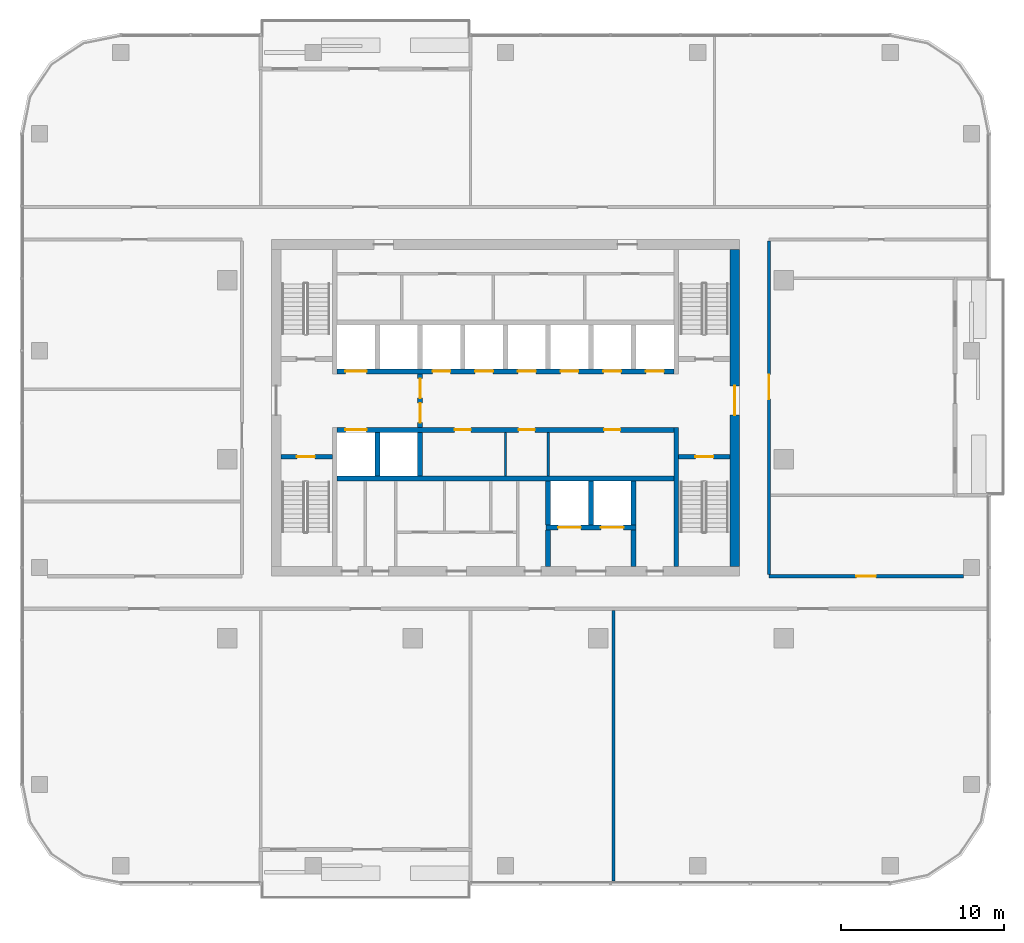
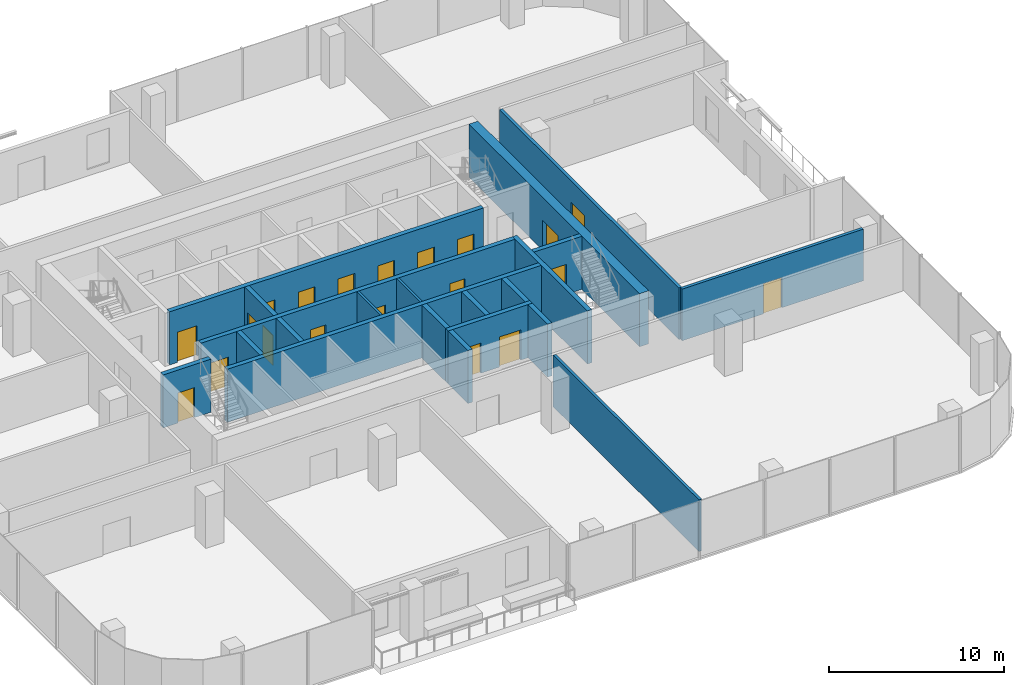
# One storey, part 8 of 13: 21 walls, 20 doors, 20 openings.
"""IFC4 building model written with IfcOpenShell, lengths in metres."""

from ifc_helpers import new_model, si_unit, direction, frame, frame_2d, origin, place, context, subcontext, project, spatial, rectangle, extrude, material, layer, layer_set, type_object, element, fill, save


model = new_model("IFC4")

# Units and contexts
model_context = context("Model", 3, precision=1e-05, world=origin(), true_north=direction((0.0, 1.0)))
body_context = subcontext(model_context, "Body", "Model", "MODEL_VIEW")
ifc_project = project(units=[si_unit("LENGTHUNIT", "METRE"), si_unit("AREAUNIT", "SQUARE_METRE"), si_unit("VOLUMEUNIT", "CUBIC_METRE"), si_unit("PLANEANGLEUNIT", "RADIAN"), si_unit("MASSUNIT", "GRAM", prefix="KILO")], contexts=[model_context])

# Site, building, storey
site_placement = place(None, origin())
site = spatial("IfcSite", under=ifc_project, at=site_placement, CompositionType="ELEMENT")
building_placement = place(site_placement, origin())
building = spatial("IfcBuilding", under=site, at=building_placement, Name="Mopane Tessera Tower", CompositionType="ELEMENT")
storey_placement = place(building_placement, frame((0.0, 0.0, 307.39990234375)))
storey = spatial("IfcBuildingStorey", under=building, at=storey_placement, Name="L67", CompositionType="ELEMENT", Elevation=307.39990234375)

# Walls
ifc_material_1 = material(Name="Fire-rated gypsum board partition")
ifc_layer_1 = layer(ifc_material_1, 0.14990234375)
ifc_layer_set_1 = layer_set([ifc_layer_1], Name="Fire-rated gypsum board partition")
wall_type_1 = type_object("IfcWallType", Name="Core room partition 150 mm", PredefinedType="PARTITIONING", material=ifc_layer_set_1)
for number, where, z_axis, x_axis, name in (
    (1, (0.0, -1.050048828125, 0.0), (0.0, 0.0, 1.0), (0.0, 1.0, 0.0), "L67 Room partition"),
    (2, (2.625, -1.050048828125, 0.0), (0.0, 0.0, 1.0), (0.0, 1.0, 0.0), "L67 Room partition"),
):
    element("IfcWall", number, at=place(storey_placement, frame(where, z_axis=z_axis, x_axis=x_axis)), inside=storey, type_object=wall_type_1, Name=name, PredefinedType="PARTITIONING", context=body_context, shape_type="SweptSolid", body=[
        extrude(rectangle(XDim=2.699951171875, YDim=0.14990234375, at=frame_2d((1.35009765625, 0.0))), origin(), (0.0, 0.0, 1.0), 3.7001953125),
    ])

# Wall, opening, door
ifc_material_2 = material(Name="Concrete C70/85", Category="concrete")
ifc_layer_2 = layer(ifc_material_2, 0.60009765625)
ifc_layer_set_2 = layer_set([ifc_layer_2], Name="Concrete C70/85")
wall_type_2 = type_object("IfcWallType", Name="Core shear wall 600 mm", PredefinedType="SHEAR", material=ifc_layer_set_2)
wall_1_placement = place(storey_placement, frame((14.10009765625, -6.60009765625, 0.0), z_axis=(0.0, 0.0, 1.0), x_axis=(0.0, 1.0, 0.0)))
wall_1 = element("IfcWall", 3, at=wall_1_placement, inside=storey, type_object=wall_type_2, Name="L67 Core wall east", PredefinedType="SHEAR", context=body_context, shape_type="SweptSolid", body=[
    extrude(rectangle(XDim=19.5, YDim=0.60009765625, at=frame_2d((9.75, 0.0))), origin(), (0.0, 0.0, 1.0), 3.7001953125),
])
opening_1_placement = place(wall_1_placement, frame((9.300048828125, 0.0, 0.0)))
opening_1 = element("IfcOpeningElement", 4, at=opening_1_placement, cuts=wall_1, Name="Opening SD2", PredefinedType="OPENING", context=body_context, shape_type="SweptSolid", body=[
    extrude(rectangle(XDim=1.800048828125, YDim=2.10009765625, at=frame_2d((0.89990234375, 1.050048828125))), frame((0.0, 0.31201171875, 0.0), z_axis=(0.0, -1.0, 0.0), x_axis=(1.0, 0.0, 0.0)), (0.0, 0.0, 1.0), 0.6240234375),
])
ifc_material_3 = material(Name="Steel fire door", Category="steel")
door_type_1 = type_object("IfcDoorType", Name="Core entrance double door 1800 x 2100", OperationType="DOUBLE_DOOR_SINGLE_SWING", PredefinedType="DOOR", material=ifc_material_3)
door_1_placement = place(opening_1_placement, origin())
door_1 = element("IfcDoor", 5, at=door_1_placement, inside=storey, type_object=door_type_1, Name="L67 Core entrance door east", OperationType="DOUBLE_DOOR_SINGLE_SWING", OverallHeight=2.10009765625, OverallWidth=1.800048828125, PredefinedType="DOOR", context=body_context, shape_type="SweptSolid", body=[
    extrude(rectangle(XDim=1.800048828125, YDim=2.10009765625, at=frame_2d((0.89990234375, 1.050048828125))), frame((0.0, 0.02490234375, 0.0), z_axis=(0.0, -1.0, 0.0), x_axis=(1.0, 0.0, 0.0)), (0.0, 0.0, 1.0), 0.050048828125),
])
fill(opening_1, door_1)

# Walls
ifc_material_4 = material(Name="Concrete C60/75", Category="concrete")
ifc_layer_3 = layer(ifc_material_4, 0.300048828125)
ifc_layer_set_3 = layer_set([ifc_layer_3], Name="Concrete C60/75")
wall_type_3 = type_object("IfcWallType", Name="Core spine wall 300 mm", PredefinedType="SHEAR", material=ifc_layer_set_3)
wall_2_placement = place(storey_placement, frame((10.5, -6.60009765625, 0.0), z_axis=(0.0, 0.0, 1.0), x_axis=(0.0, 1.0, 0.0)))
element("IfcWall", 6, at=wall_2_placement, inside=storey, type_object=wall_type_3, Name="L67 Core spine wall", PredefinedType="SHEAR", context=body_context, shape_type="SweptSolid", body=[
    extrude(rectangle(XDim=8.550048828125, YDim=0.300048828125, at=frame_2d((4.27490234375, 0.0))), origin(), (0.0, 0.0, 1.0), 3.7001953125),
])
ifc_material_5 = material(Name="Gypsum board on staggered steel studs, double layer each face, acoustic mineral wool infill", Category="steel")
ifc_layer_4 = layer(ifc_material_5, 0.175048828125)
ifc_layer_set_4 = layer_set([ifc_layer_4], Name="Gypsum board on staggered steel studs, double layer each face, acoustic mineral wool infill")
wall_type_4 = type_object("IfcWallType", Name="Gypsum board acoustic partition 175, rated EI 60", PredefinedType="PARTITIONING", material=ifc_layer_set_4)
wall_3_placement = place(storey_placement, frame((6.6298828125, -25.949951171875, 0.0), z_axis=(0.0, 0.0, 1.0), x_axis=(0.0, 1.0, 0.0)))
element("IfcWall", 7, at=wall_3_placement, inside=storey, type_object=wall_type_4, Name="Partition L67:015", PredefinedType="PARTITIONING", context=body_context, shape_type="SweptSolid", body=[
    extrude(rectangle(XDim=16.64990234375, YDim=0.175048828125, at=frame_2d((8.324951171875, 0.0))), origin(), (0.0, 0.0, 1.0), 3.60009765625),
])

# Wall, opening, door
ifc_material_6 = material(Name="Gypsum board on steel studs, two layers each face, mineral wool infill", Category="steel")
ifc_layer_5 = layer(ifc_material_6, 0.199951171875)
ifc_layer_set_5 = layer_set([ifc_layer_5], Name="Gypsum board on steel studs, two layers each face, mineral wool infill")
wall_type_5 = type_object("IfcWallType", Name="Gypsum board corridor wall 200, rated EI 60", PredefinedType="PARTITIONING", material=ifc_layer_set_5)
wall_4_placement = place(storey_placement, frame((16.199951171875, -7.199951171875, 0.0), z_axis=(0.0, 0.0, 1.0), x_axis=(1.0, 0.0, 0.0)))
wall_4 = element("IfcWall", 8, at=wall_4_placement, inside=storey, type_object=wall_type_5, Name="Partition L67:002", PredefinedType="PARTITIONING", context=body_context, shape_type="SweptSolid", body=[
    extrude(rectangle(XDim=11.949951171875, YDim=0.199951171875, at=frame_2d((5.97509765625, 0.0))), origin(), (0.0, 0.0, 1.0), 3.60009765625),
])
opening_2_placement = place(wall_4_placement, frame((5.375, 0.0, 0.0)))
opening_2 = element("IfcOpeningElement", 9, at=opening_2_placement, cuts=wall_4, Name="Opening L67-14", PredefinedType="OPENING", context=body_context, shape_type="SweptSolid", body=[
    extrude(rectangle(XDim=1.199951171875, YDim=2.10009765625, at=frame_2d((0.60009765625, 1.050048828125))), frame((0.0, 0.112060546875, 0.0), z_axis=(0.0, -1.0, 0.0), x_axis=(1.0, 0.0, 0.0)), (0.0, 0.0, 1.0), 0.223876953125),
])
ifc_material_7 = material(Name="Timber veneered steel-framed fire door", Category="steel")
door_type_2 = type_object("IfcDoorType", Name="Fire door FD60 1200 x 2100", OperationType="SINGLE_SWING_LEFT", PredefinedType="DOOR", material=ifc_material_7)
door_2_placement = place(opening_2_placement, origin())
door_2 = element("IfcDoor", 10, at=door_2_placement, inside=storey, type_object=door_type_2, Name="Door L67-14", ObjectType="D15A", OperationType="SINGLE_SWING_LEFT", OverallHeight=2.10009765625, OverallWidth=1.199951171875, PredefinedType="DOOR", context=body_context, shape_type="SweptSolid", body=[
    extrude(rectangle(XDim=1.199951171875, YDim=2.10009765625, at=frame_2d((0.60009765625, 1.050048828125))), frame((0.0, 0.02490234375, 0.0), z_axis=(0.0, -1.0, 0.0), x_axis=(1.0, 0.0, 0.0)), (0.0, 0.0, 1.0), 0.050048828125),
])
fill(opening_2, door_2)

wall_5_placement = place(storey_placement, frame((16.199951171875, -7.10009765625, 0.0), z_axis=(0.0, 0.0, 1.0), x_axis=(0.0, 1.0, 0.0)))
wall_5 = element("IfcWall", 11, at=wall_5_placement, inside=storey, type_object=wall_type_5, Name="Partition L67:017", PredefinedType="PARTITIONING", context=body_context, shape_type="SweptSolid", body=[
    extrude(rectangle(XDim=20.5, YDim=0.199951171875, at=frame_2d((10.25, 0.0))), origin(), (0.0, 0.0, 1.0), 3.60009765625),
])
opening_3_placement = place(wall_5_placement, frame((10.794921875, 0.0, 0.0)))
opening_3 = element("IfcOpeningElement", 12, at=opening_3_placement, cuts=wall_5, Name="Opening L67-05", PredefinedType="OPENING", context=body_context, shape_type="SweptSolid", body=[
    extrude(rectangle(XDim=1.5, YDim=2.10009765625, at=frame_2d((0.75, 1.050048828125))), frame((0.0, 0.112060546875, 0.0), z_axis=(0.0, -1.0, 0.0), x_axis=(1.0, 0.0, 0.0)), (0.0, 0.0, 1.0), 0.223876953125),
])
ifc_material_8 = material(Name="Timber veneered steel-framed fire door", Category="steel")
door_type_3 = type_object("IfcDoorType", Name="Fire door pair FD60 1500 x 2100", OperationType="DOUBLE_DOOR_SINGLE_SWING", PredefinedType="DOOR", material=ifc_material_8)
door_3_placement = place(opening_3_placement, origin())
door_3 = element("IfcDoor", 13, at=door_3_placement, inside=storey, type_object=door_type_3, Name="Door L67-05", ObjectType="D17A", OperationType="DOUBLE_DOOR_SINGLE_SWING", OverallHeight=2.10009765625, OverallWidth=1.5, PredefinedType="DOOR", context=body_context, shape_type="SweptSolid", body=[
    extrude(rectangle(XDim=1.5, YDim=2.10009765625, at=frame_2d((0.75, 1.050048828125))), frame((0.0, 0.02490234375, 0.0), z_axis=(0.0, -1.0, 0.0), x_axis=(1.0, 0.0, 0.0)), (0.0, 0.0, 1.0), 0.050048828125),
])
fill(opening_3, door_3)

ifc_material_9 = material(Name="Concrete C50/60", Category="concrete")
ifc_layer_6 = layer(ifc_material_9, 0.300048828125)
ifc_layer_set_6 = layer_set([ifc_layer_6], Name="Concrete C50/60")
wall_type_6 = type_object("IfcWallType", Name="Lift and stair shaft wall 300 mm", PredefinedType="SOLIDWALL", material=ifc_layer_set_6)
wall_6_placement = place(storey_placement, frame((-13.800048828125, 0.14990234375, 0.0), z_axis=(0.0, 0.0, 1.0), x_axis=(1.0, 0.0, 0.0)))
wall_6 = element("IfcWall", 14, at=wall_6_placement, inside=storey, type_object=wall_type_6, Name="L67 Stair enclosure wall", PredefinedType="SOLIDWALL", context=body_context, shape_type="SweptSolid", body=[
    extrude(rectangle(XDim=3.150146484375, YDim=0.300048828125, at=frame_2d((1.5751953125, 0.0))), origin(), (0.0, 0.0, 1.0), 3.7001953125),
])
opening_4_placement = place(wall_6_placement, frame((0.97509765625, 0.0, 0.0)))
opening_4 = element("IfcOpeningElement", 15, at=opening_4_placement, cuts=wall_6, Name="Opening SD1", PredefinedType="OPENING", context=body_context, shape_type="SweptSolid", body=[
    extrude(rectangle(XDim=1.10009765625, YDim=2.10009765625, at=frame_2d((0.550048828125, 1.050048828125))), frame((0.0, 0.162109375, 0.0), z_axis=(0.0, -1.0, 0.0), x_axis=(1.0, 0.0, 0.0)), (0.0, 0.0, 1.0), 0.323974609375),
])
ifc_material_10 = material(Name="Steel fire door", Category="steel")
door_type_4 = type_object("IfcDoorType", Name="Stair fire door 1100 x 2100", OperationType="SINGLE_SWING_LEFT", PredefinedType="DOOR", material=ifc_material_10)
door_4_placement = place(opening_4_placement, origin())
door_4 = element("IfcDoor", 16, at=door_4_placement, inside=storey, type_object=door_type_4, Name="L67 Stair door ST1", OperationType="SINGLE_SWING_LEFT", OverallHeight=2.10009765625, OverallWidth=1.10009765625, PredefinedType="DOOR", context=body_context, shape_type="SweptSolid", body=[
    extrude(rectangle(XDim=1.10009765625, YDim=2.10009765625, at=frame_2d((0.550048828125, 1.050048828125))), frame((0.0, 0.02490234375, 0.0), z_axis=(0.0, -1.0, 0.0), x_axis=(1.0, 0.0, 0.0)), (0.0, 0.0, 1.0), 0.050048828125),
])
fill(opening_4, door_4)

wall_7_placement = place(storey_placement, frame((10.64990234375, 0.14990234375, 0.0), z_axis=(0.0, 0.0, 1.0), x_axis=(1.0, 0.0, 0.0)))
wall_7 = element("IfcWall", 17, at=wall_7_placement, inside=storey, type_object=wall_type_6, Name="L67 Stair enclosure wall", PredefinedType="SOLIDWALL", context=body_context, shape_type="SweptSolid", body=[
    extrude(rectangle(XDim=3.150146484375, YDim=0.300048828125, at=frame_2d((1.5751953125, 0.0))), origin(), (0.0, 0.0, 1.0), 3.7001953125),
])
opening_5_placement = place(wall_7_placement, frame((1.02490234375, 0.0, 0.0)))
opening_5 = element("IfcOpeningElement", 18, at=opening_5_placement, cuts=wall_7, Name="Opening SD1", PredefinedType="OPENING", context=body_context, shape_type="SweptSolid", body=[
    extrude(rectangle(XDim=1.10009765625, YDim=2.10009765625, at=frame_2d((0.550048828125, 1.050048828125))), frame((0.0, 0.162109375, 0.0), z_axis=(0.0, -1.0, 0.0), x_axis=(1.0, 0.0, 0.0)), (0.0, 0.0, 1.0), 0.323974609375),
])
door_5_placement = place(opening_5_placement, origin())
door_5 = element("IfcDoor", 19, at=door_5_placement, inside=storey, type_object=door_type_4, Name="L67 Stair door ST3", OperationType="SINGLE_SWING_RIGHT", OverallHeight=2.10009765625, OverallWidth=1.10009765625, PredefinedType="DOOR", context=body_context, shape_type="SweptSolid", body=[
    extrude(rectangle(XDim=1.10009765625, YDim=2.10009765625, at=frame_2d((0.550048828125, 1.050048828125))), frame((0.0, 0.02490234375, 0.0), z_axis=(0.0, -1.0, 0.0), x_axis=(1.0, 0.0, 0.0)), (0.0, 0.0, 1.0), 0.050048828125),
])
fill(opening_5, door_5)

# Wall
wall_8_placement = place(storey_placement, frame((-10.35009765625, -1.199951171875, 0.0), z_axis=(0.0, 0.0, 1.0), x_axis=(1.0, 0.0, 0.0)))
element("IfcWall", 20, at=wall_8_placement, inside=storey, type_object=wall_type_6, Name="L67 Lift shaft rear wall", PredefinedType="SOLIDWALL", context=body_context, shape_type="SweptSolid", body=[
    extrude(rectangle(XDim=20.7001953125, YDim=0.300048828125, at=frame_2d((10.35009765625, 0.0))), origin(), (0.0, 0.0, 1.0), 3.7001953125),
])

# Wall, openings, doors
wall_9_placement = place(storey_placement, frame((-10.35009765625, 1.800048828125, 0.0), z_axis=(0.0, 0.0, 1.0), x_axis=(1.0, 0.0, 0.0)))
wall_9 = element("IfcWall", 21, at=wall_9_placement, inside=storey, type_object=wall_type_6, Name="L67 Lift shaft front wall", PredefinedType="SOLIDWALL", context=body_context, shape_type="SweptSolid", body=[
    extrude(rectangle(XDim=20.7001953125, YDim=0.300048828125, at=frame_2d((10.35009765625, 0.0))), origin(), (0.0, 0.0, 1.0), 3.7001953125),
])
opening_6_placement = place(wall_9_placement, frame((0.512451171875, 0.0, 0.0)))
opening_6 = element("IfcOpeningElement", 22, at=opening_6_placement, cuts=wall_9, Name="Opening LD2", PredefinedType="OPENING", context=body_context, shape_type="SweptSolid", body=[
    extrude(rectangle(XDim=1.300048828125, YDim=2.10009765625, at=frame_2d((0.64990234375, 1.050048828125))), frame((0.0, 0.162109375, 0.0), z_axis=(0.0, -1.0, 0.0), x_axis=(1.0, 0.0, 0.0)), (0.0, 0.0, 1.0), 0.323974609375),
])
opening_7_placement = place(wall_9_placement, frame((7.22509765625, 0.0, 0.0)))
opening_7 = element("IfcOpeningElement", 23, at=opening_7_placement, cuts=wall_9, Name="Opening RD1", PredefinedType="OPENING", context=body_context, shape_type="SweptSolid", body=[
    extrude(rectangle(XDim=1.0, YDim=2.10009765625, at=frame_2d((0.5, 1.050048828125))), frame((0.0, 0.162109375, 0.0), z_axis=(0.0, -1.0, 0.0), x_axis=(1.0, 0.0, 0.0)), (0.0, 0.0, 1.0), 0.323974609375),
])
opening_8_placement = place(wall_9_placement, frame((11.16259765625, 0.0, 0.0)))
opening_8 = element("IfcOpeningElement", 24, at=opening_8_placement, cuts=wall_9, Name="Opening RD1", PredefinedType="OPENING", context=body_context, shape_type="SweptSolid", body=[
    extrude(rectangle(XDim=1.0, YDim=2.10009765625, at=frame_2d((0.5, 1.050048828125))), frame((0.0, 0.162109375, 0.0), z_axis=(0.0, -1.0, 0.0), x_axis=(1.0, 0.0, 0.0)), (0.0, 0.0, 1.0), 0.323974609375),
])
opening_9_placement = place(wall_9_placement, frame((16.41259765625, 0.0, 0.0)))
opening_9 = element("IfcOpeningElement", 25, at=opening_9_placement, cuts=wall_9, Name="Opening RD1", PredefinedType="OPENING", context=body_context, shape_type="SweptSolid", body=[
    extrude(rectangle(XDim=1.0, YDim=2.10009765625, at=frame_2d((0.5, 1.050048828125))), frame((0.0, 0.162109375, 0.0), z_axis=(0.0, -1.0, 0.0), x_axis=(1.0, 0.0, 0.0)), (0.0, 0.0, 1.0), 0.323974609375),
])
ifc_material_11 = material(Name="Timber door", Category="wood")
door_type_5 = type_object("IfcDoorType", Name="Core room door 1000 x 2100", OperationType="SINGLE_SWING_LEFT", PredefinedType="DOOR", material=ifc_material_11)
door_6_placement = place(opening_7_placement, origin())
door_6 = element("IfcDoor", 26, at=door_6_placement, inside=storey, type_object=door_type_5, Name="L67 Room door", OperationType="SINGLE_SWING_LEFT", OverallHeight=2.10009765625, OverallWidth=1.0, PredefinedType="DOOR", context=body_context, shape_type="SweptSolid", body=[
    extrude(rectangle(XDim=1.0, YDim=2.10009765625, at=frame_2d((0.5, 1.050048828125))), frame((0.0, 0.02490234375, 0.0), z_axis=(0.0, -1.0, 0.0), x_axis=(1.0, 0.0, 0.0)), (0.0, 0.0, 1.0), 0.050048828125),
])
fill(opening_7, door_6)
door_7_placement = place(opening_8_placement, origin())
door_7 = element("IfcDoor", 27, at=door_7_placement, inside=storey, type_object=door_type_5, Name="L67 Room door", OperationType="SINGLE_SWING_LEFT", OverallHeight=2.10009765625, OverallWidth=1.0, PredefinedType="DOOR", context=body_context, shape_type="SweptSolid", body=[
    extrude(rectangle(XDim=1.0, YDim=2.10009765625, at=frame_2d((0.5, 1.050048828125))), frame((0.0, 0.02490234375, 0.0), z_axis=(0.0, -1.0, 0.0), x_axis=(1.0, 0.0, 0.0)), (0.0, 0.0, 1.0), 0.050048828125),
])
fill(opening_8, door_7)
door_8_placement = place(opening_9_placement, origin())
door_8 = element("IfcDoor", 28, at=door_8_placement, inside=storey, type_object=door_type_5, Name="L67 Room door", OperationType="SINGLE_SWING_LEFT", OverallHeight=2.10009765625, OverallWidth=1.0, PredefinedType="DOOR", context=body_context, shape_type="SweptSolid", body=[
    extrude(rectangle(XDim=1.0, YDim=2.10009765625, at=frame_2d((0.5, 1.050048828125))), frame((0.0, 0.02490234375, 0.0), z_axis=(0.0, -1.0, 0.0), x_axis=(1.0, 0.0, 0.0)), (0.0, 0.0, 1.0), 0.050048828125),
])
fill(opening_9, door_8)
ifc_material_12 = material(Name="Stainless steel sliding door", Category="steel")
door_type_6 = type_object("IfcDoorType", Name="Fire-fighting lift landing door 1300 x 2100", OperationType="DOUBLE_DOOR_SLIDING", PredefinedType="DOOR", material=ifc_material_12)
door_9_placement = place(opening_6_placement, origin())
door_9 = element("IfcDoor", 29, at=door_9_placement, inside=storey, type_object=door_type_6, Name="L67 Lift landing door FF1", OperationType="DOUBLE_DOOR_SLIDING", OverallHeight=2.10009765625, OverallWidth=1.300048828125, PredefinedType="DOOR", context=body_context, shape_type="SweptSolid", body=[
    extrude(rectangle(XDim=1.300048828125, YDim=2.10009765625, at=frame_2d((0.64990234375, 1.050048828125))), frame((0.0, 0.02490234375, 0.0), z_axis=(0.0, -1.0, 0.0), x_axis=(1.0, 0.0, 0.0)), (0.0, 0.0, 1.0), 0.050048828125),
])
fill(opening_6, door_9)

wall_10_placement = place(storey_placement, frame((-10.35009765625, 5.39990234375, 0.0), z_axis=(0.0, 0.0, 1.0), x_axis=(1.0, 0.0, 0.0)))
wall_10 = element("IfcWall", 30, at=wall_10_placement, inside=storey, type_object=wall_type_6, Name="L67 Lift shaft front wall", PredefinedType="SOLIDWALL", context=body_context, shape_type="SweptSolid", body=[
    extrude(rectangle(XDim=20.7001953125, YDim=0.300048828125, at=frame_2d((10.35009765625, 0.0))), origin(), (0.0, 0.0, 1.0), 3.7001953125),
])
opening_10_placement = place(wall_10_placement, frame((0.512451171875, 0.0, 0.0)))
opening_10 = element("IfcOpeningElement", 31, at=opening_10_placement, cuts=wall_10, Name="Opening LD2", PredefinedType="OPENING", context=body_context, shape_type="SweptSolid", body=[
    extrude(rectangle(XDim=1.300048828125, YDim=2.10009765625, at=frame_2d((0.64990234375, 1.050048828125))), frame((0.0, 0.162109375, 0.0), z_axis=(0.0, -1.0, 0.0), x_axis=(1.0, 0.0, 0.0)), (0.0, 0.0, 1.0), 0.323974609375),
])
opening_11_placement = place(wall_10_placement, frame((5.862548828125, 0.0, 0.0)))
opening_11 = element("IfcOpeningElement", 32, at=opening_11_placement, cuts=wall_10, Name="Opening LD", PredefinedType="OPENING", context=body_context, shape_type="SweptSolid", body=[
    extrude(rectangle(XDim=1.10009765625, YDim=2.10009765625, at=frame_2d((0.550048828125, 1.050048828125))), frame((0.0, 0.162109375, 0.0), z_axis=(0.0, -1.0, 0.0), x_axis=(1.0, 0.0, 0.0)), (0.0, 0.0, 1.0), 0.323974609375),
])
opening_12_placement = place(wall_10_placement, frame((8.487548828125, 0.0, 0.0)))
opening_12 = element("IfcOpeningElement", 33, at=opening_12_placement, cuts=wall_10, Name="Opening LD", PredefinedType="OPENING", context=body_context, shape_type="SweptSolid", body=[
    extrude(rectangle(XDim=1.10009765625, YDim=2.10009765625, at=frame_2d((0.550048828125, 1.050048828125))), frame((0.0, 0.162109375, 0.0), z_axis=(0.0, -1.0, 0.0), x_axis=(1.0, 0.0, 0.0)), (0.0, 0.0, 1.0), 0.323974609375),
])
opening_13_placement = place(wall_10_placement, frame((11.112548828125, 0.0, 0.0)))
opening_13 = element("IfcOpeningElement", 34, at=opening_13_placement, cuts=wall_10, Name="Opening LD", PredefinedType="OPENING", context=body_context, shape_type="SweptSolid", body=[
    extrude(rectangle(XDim=1.10009765625, YDim=2.10009765625, at=frame_2d((0.550048828125, 1.050048828125))), frame((0.0, 0.162109375, 0.0), z_axis=(0.0, -1.0, 0.0), x_axis=(1.0, 0.0, 0.0)), (0.0, 0.0, 1.0), 0.323974609375),
])
opening_14_placement = place(wall_10_placement, frame((13.737548828125, 0.0, 0.0)))
opening_14 = element("IfcOpeningElement", 35, at=opening_14_placement, cuts=wall_10, Name="Opening LD", PredefinedType="OPENING", context=body_context, shape_type="SweptSolid", body=[
    extrude(rectangle(XDim=1.10009765625, YDim=2.10009765625, at=frame_2d((0.550048828125, 1.050048828125))), frame((0.0, 0.162109375, 0.0), z_axis=(0.0, -1.0, 0.0), x_axis=(1.0, 0.0, 0.0)), (0.0, 0.0, 1.0), 0.323974609375),
])
opening_15_placement = place(wall_10_placement, frame((16.362548828125, 0.0, 0.0)))
opening_15 = element("IfcOpeningElement", 36, at=opening_15_placement, cuts=wall_10, Name="Opening LD", PredefinedType="OPENING", context=body_context, shape_type="SweptSolid", body=[
    extrude(rectangle(XDim=1.10009765625, YDim=2.10009765625, at=frame_2d((0.550048828125, 1.050048828125))), frame((0.0, 0.162109375, 0.0), z_axis=(0.0, -1.0, 0.0), x_axis=(1.0, 0.0, 0.0)), (0.0, 0.0, 1.0), 0.323974609375),
])
opening_16_placement = place(wall_10_placement, frame((18.987548828125, 0.0, 0.0)))
opening_16 = element("IfcOpeningElement", 37, at=opening_16_placement, cuts=wall_10, Name="Opening LD", PredefinedType="OPENING", context=body_context, shape_type="SweptSolid", body=[
    extrude(rectangle(XDim=1.10009765625, YDim=2.10009765625, at=frame_2d((0.550048828125, 1.050048828125))), frame((0.0, 0.162109375, 0.0), z_axis=(0.0, -1.0, 0.0), x_axis=(1.0, 0.0, 0.0)), (0.0, 0.0, 1.0), 0.323974609375),
])
door_10_placement = place(opening_10_placement, origin())
door_10 = element("IfcDoor", 38, at=door_10_placement, inside=storey, type_object=door_type_6, Name="L67 Lift landing door FF2", OperationType="DOUBLE_DOOR_SLIDING", OverallHeight=2.10009765625, OverallWidth=1.300048828125, PredefinedType="DOOR", context=body_context, shape_type="SweptSolid", body=[
    extrude(rectangle(XDim=1.300048828125, YDim=2.10009765625, at=frame_2d((0.64990234375, 1.050048828125))), frame((0.0, 0.02490234375, 0.0), z_axis=(0.0, -1.0, 0.0), x_axis=(1.0, 0.0, 0.0)), (0.0, 0.0, 1.0), 0.050048828125),
])
fill(opening_10, door_10)
ifc_material_13 = material(Name="Stainless steel sliding door", Category="steel")
door_type_7 = type_object("IfcDoorType", Name="Lift landing door 1100 x 2100", OperationType="DOUBLE_DOOR_SLIDING", PredefinedType="DOOR", material=ifc_material_13)
door_11_placement = place(opening_11_placement, origin())
door_11 = element("IfcDoor", 39, at=door_11_placement, inside=storey, type_object=door_type_7, Name="L67 Lift landing door HR1", OperationType="DOUBLE_DOOR_SLIDING", OverallHeight=2.10009765625, OverallWidth=1.10009765625, PredefinedType="DOOR", context=body_context, shape_type="SweptSolid", body=[
    extrude(rectangle(XDim=1.10009765625, YDim=2.10009765625, at=frame_2d((0.550048828125, 1.050048828125))), frame((0.0, 0.02490234375, 0.0), z_axis=(0.0, -1.0, 0.0), x_axis=(1.0, 0.0, 0.0)), (0.0, 0.0, 1.0), 0.050048828125),
])
fill(opening_11, door_11)
door_12_placement = place(opening_12_placement, origin())
door_12 = element("IfcDoor", 40, at=door_12_placement, inside=storey, type_object=door_type_7, Name="L67 Lift landing door HR2", OperationType="DOUBLE_DOOR_SLIDING", OverallHeight=2.10009765625, OverallWidth=1.10009765625, PredefinedType="DOOR", context=body_context, shape_type="SweptSolid", body=[
    extrude(rectangle(XDim=1.10009765625, YDim=2.10009765625, at=frame_2d((0.550048828125, 1.050048828125))), frame((0.0, 0.02490234375, 0.0), z_axis=(0.0, -1.0, 0.0), x_axis=(1.0, 0.0, 0.0)), (0.0, 0.0, 1.0), 0.050048828125),
])
fill(opening_12, door_12)
door_13_placement = place(opening_13_placement, origin())
door_13 = element("IfcDoor", 41, at=door_13_placement, inside=storey, type_object=door_type_7, Name="L67 Lift landing door HR3", OperationType="DOUBLE_DOOR_SLIDING", OverallHeight=2.10009765625, OverallWidth=1.10009765625, PredefinedType="DOOR", context=body_context, shape_type="SweptSolid", body=[
    extrude(rectangle(XDim=1.10009765625, YDim=2.10009765625, at=frame_2d((0.550048828125, 1.050048828125))), frame((0.0, 0.02490234375, 0.0), z_axis=(0.0, -1.0, 0.0), x_axis=(1.0, 0.0, 0.0)), (0.0, 0.0, 1.0), 0.050048828125),
])
fill(opening_13, door_13)
door_14_placement = place(opening_14_placement, origin())
door_14 = element("IfcDoor", 42, at=door_14_placement, inside=storey, type_object=door_type_7, Name="L67 Lift landing door HR4", OperationType="DOUBLE_DOOR_SLIDING", OverallHeight=2.10009765625, OverallWidth=1.10009765625, PredefinedType="DOOR", context=body_context, shape_type="SweptSolid", body=[
    extrude(rectangle(XDim=1.10009765625, YDim=2.10009765625, at=frame_2d((0.550048828125, 1.050048828125))), frame((0.0, 0.02490234375, 0.0), z_axis=(0.0, -1.0, 0.0), x_axis=(1.0, 0.0, 0.0)), (0.0, 0.0, 1.0), 0.050048828125),
])
fill(opening_14, door_14)
door_15_placement = place(opening_15_placement, origin())
door_15 = element("IfcDoor", 43, at=door_15_placement, inside=storey, type_object=door_type_7, Name="L67 Lift landing door HR5", OperationType="DOUBLE_DOOR_SLIDING", OverallHeight=2.10009765625, OverallWidth=1.10009765625, PredefinedType="DOOR", context=body_context, shape_type="SweptSolid", body=[
    extrude(rectangle(XDim=1.10009765625, YDim=2.10009765625, at=frame_2d((0.550048828125, 1.050048828125))), frame((0.0, 0.02490234375, 0.0), z_axis=(0.0, -1.0, 0.0), x_axis=(1.0, 0.0, 0.0)), (0.0, 0.0, 1.0), 0.050048828125),
])
fill(opening_15, door_15)
door_16_placement = place(opening_16_placement, origin())
door_16 = element("IfcDoor", 44, at=door_16_placement, inside=storey, type_object=door_type_7, Name="L67 Lift landing door HR6", OperationType="DOUBLE_DOOR_SLIDING", OverallHeight=2.10009765625, OverallWidth=1.10009765625, PredefinedType="DOOR", context=body_context, shape_type="SweptSolid", body=[
    extrude(rectangle(XDim=1.10009765625, YDim=2.10009765625, at=frame_2d((0.550048828125, 1.050048828125))), frame((0.0, 0.02490234375, 0.0), z_axis=(0.0, -1.0, 0.0), x_axis=(1.0, 0.0, 0.0)), (0.0, 0.0, 1.0), 0.050048828125),
])
fill(opening_16, door_16)

# Walls
for number, where, z_axis, x_axis, name in (
    (45, (-7.875, -1.050048828125, 0.0), (0.0, 0.0, 1.0), (0.0, 1.0, 0.0), "L67 Lift shaft wall"),
    (46, (-5.25, -1.050048828125, 0.0), (0.0, 0.0, 1.0), (0.0, 1.0, 0.0), "L67 Lift shaft wall"),
):
    element("IfcWall", number, at=place(storey_placement, frame(where, z_axis=z_axis, x_axis=x_axis)), inside=storey, type_object=wall_type_6, Name=name, PredefinedType="SOLIDWALL", context=body_context, shape_type="SweptSolid", body=[
        extrude(rectangle(XDim=2.699951171875, YDim=0.300048828125, at=frame_2d((1.35009765625, 0.0))), origin(), (0.0, 0.0, 1.0), 3.7001953125),
    ])

# Wall, openings, doors
wall_11_placement = place(storey_placement, frame((2.47509765625, -4.199951171875, 0.0), z_axis=(0.0, 0.0, 1.0), x_axis=(1.0, 0.0, 0.0)))
wall_11 = element("IfcWall", 47, at=wall_11_placement, inside=storey, type_object=wall_type_6, Name="L67 Lift shaft front wall", PredefinedType="SOLIDWALL", context=body_context, shape_type="SweptSolid", body=[
    extrude(rectangle(XDim=5.5498046875, YDim=0.300048828125, at=frame_2d((2.77490234375, 0.0))), origin(), (0.0, 0.0, 1.0), 3.7001953125),
])
opening_17_placement = place(wall_11_placement, frame((0.762451171875, 0.0, 0.0)))
opening_17 = element("IfcOpeningElement", 48, at=opening_17_placement, cuts=wall_11, Name="Opening LD3", PredefinedType="OPENING", context=body_context, shape_type="SweptSolid", body=[
    extrude(rectangle(XDim=1.39990234375, YDim=2.10009765625, at=frame_2d((0.699951171875, 1.050048828125))), frame((0.0, 0.162109375, 0.0), z_axis=(0.0, -1.0, 0.0), x_axis=(1.0, 0.0, 0.0)), (0.0, 0.0, 1.0), 0.323974609375),
])
opening_18_placement = place(wall_11_placement, frame((3.387451171875, 0.0, 0.0)))
opening_18 = element("IfcOpeningElement", 49, at=opening_18_placement, cuts=wall_11, Name="Opening LD3", PredefinedType="OPENING", context=body_context, shape_type="SweptSolid", body=[
    extrude(rectangle(XDim=1.39990234375, YDim=2.10009765625, at=frame_2d((0.699951171875, 1.050048828125))), frame((0.0, 0.162109375, 0.0), z_axis=(0.0, -1.0, 0.0), x_axis=(1.0, 0.0, 0.0)), (0.0, 0.0, 1.0), 0.323974609375),
])
ifc_material_14 = material(Name="Stainless steel sliding door", Category="steel")
door_type_8 = type_object("IfcDoorType", Name="Service lift landing door 1400 x 2100", OperationType="DOUBLE_DOOR_SLIDING", PredefinedType="DOOR", material=ifc_material_14)
door_17_placement = place(opening_17_placement, origin())
door_17 = element("IfcDoor", 50, at=door_17_placement, inside=storey, type_object=door_type_8, Name="L67 Lift landing door SV1", OperationType="DOUBLE_DOOR_SLIDING", OverallHeight=2.10009765625, OverallWidth=1.39990234375, PredefinedType="DOOR", context=body_context, shape_type="SweptSolid", body=[
    extrude(rectangle(XDim=1.39990234375, YDim=2.10009765625, at=frame_2d((0.699951171875, 1.050048828125))), frame((0.0, 0.02490234375, 0.0), z_axis=(0.0, -1.0, 0.0), x_axis=(1.0, 0.0, 0.0)), (0.0, 0.0, 1.0), 0.050048828125),
])
fill(opening_17, door_17)
door_18_placement = place(opening_18_placement, origin())
door_18 = element("IfcDoor", 51, at=door_18_placement, inside=storey, type_object=door_type_8, Name="L67 Lift landing door SV2", OperationType="DOUBLE_DOOR_SLIDING", OverallHeight=2.10009765625, OverallWidth=1.39990234375, PredefinedType="DOOR", context=body_context, shape_type="SweptSolid", body=[
    extrude(rectangle(XDim=1.39990234375, YDim=2.10009765625, at=frame_2d((0.699951171875, 1.050048828125))), frame((0.0, 0.02490234375, 0.0), z_axis=(0.0, -1.0, 0.0), x_axis=(1.0, 0.0, 0.0)), (0.0, 0.0, 1.0), 0.050048828125),
])
fill(opening_18, door_18)

# Walls
for number, where, z_axis, x_axis, name in (
    (52, (2.625, -4.050048828125, 0.0), (0.0, 0.0, 1.0), (0.0, 1.0, 0.0), "L67 Lift shaft wall"),
    (53, (5.25, -4.050048828125, 0.0), (0.0, 0.0, 1.0), (0.0, 1.0, 0.0), "L67 Lift shaft wall"),
    (54, (7.875, -4.050048828125, 0.0), (0.0, 0.0, 1.0), (0.0, 1.0, 0.0), "L67 Lift shaft wall"),
):
    element("IfcWall", number, at=place(storey_placement, frame(where, z_axis=z_axis, x_axis=x_axis)), inside=storey, type_object=wall_type_6, Name=name, PredefinedType="SOLIDWALL", context=body_context, shape_type="SweptSolid", body=[
        extrude(rectangle(XDim=2.699951171875, YDim=0.300048828125, at=frame_2d((1.35009765625, 0.0))), origin(), (0.0, 0.0, 1.0), 3.7001953125),
    ])

# Wall, openings, doors
ifc_material_15 = material(Name="Concrete C50/60", Category="concrete")
ifc_layer_7 = layer(ifc_material_15, 0.300048828125)
ifc_layer_set_7 = layer_set([ifc_layer_7], Name="Concrete C50/60")
wall_type_7 = type_object("IfcWallType", Name="Lobby and refuge room wall 300 mm", PredefinedType="SOLIDWALL", material=ifc_layer_set_7)
wall_12_placement = place(storey_placement, frame((-5.25, 1.949951171875, 0.0), z_axis=(0.0, 0.0, 1.0), x_axis=(0.0, 1.0, 0.0)))
wall_12 = element("IfcWall", 55, at=wall_12_placement, inside=storey, type_object=wall_type_7, Name="L67 Fire-fighting lobby wall", PredefinedType="SOLIDWALL", context=body_context, shape_type="SweptSolid", body=[
    extrude(rectangle(XDim=3.300048828125, YDim=0.300048828125, at=frame_2d((1.64990234375, 0.0))), origin(), (0.0, 0.0, 1.0), 3.7001953125),
])
opening_19_placement = place(wall_12_placement, frame((0.300048828125, 0.0, 0.0)))
opening_19 = element("IfcOpeningElement", 56, at=opening_19_placement, cuts=wall_12, Name="Opening SD3", PredefinedType="OPENING", context=body_context, shape_type="SweptSolid", body=[
    extrude(rectangle(XDim=1.199951171875, YDim=2.10009765625, at=frame_2d((0.60009765625, 1.050048828125))), frame((0.0, 0.162109375, 0.0), z_axis=(0.0, -1.0, 0.0), x_axis=(1.0, 0.0, 0.0)), (0.0, 0.0, 1.0), 0.323974609375),
])
opening_20_placement = place(wall_12_placement, frame((1.800048828125, 0.0, 0.0)))
opening_20 = element("IfcOpeningElement", 57, at=opening_20_placement, cuts=wall_12, Name="Opening SD3", PredefinedType="OPENING", context=body_context, shape_type="SweptSolid", body=[
    extrude(rectangle(XDim=1.199951171875, YDim=2.10009765625, at=frame_2d((0.60009765625, 1.050048828125))), frame((0.0, 0.162109375, 0.0), z_axis=(0.0, -1.0, 0.0), x_axis=(1.0, 0.0, 0.0)), (0.0, 0.0, 1.0), 0.323974609375),
])
ifc_material_16 = material(Name="Steel fire door", Category="steel")
door_type_9 = type_object("IfcDoorType", Name="Lobby fire door 1200 x 2100", OperationType="SINGLE_SWING_LEFT", PredefinedType="DOOR", material=ifc_material_16)
door_19_placement = place(opening_19_placement, origin())
door_19 = element("IfcDoor", 58, at=door_19_placement, inside=storey, type_object=door_type_9, Name="L67 Fire-fighting lobby door", OperationType="SINGLE_SWING_LEFT", OverallHeight=2.10009765625, OverallWidth=1.199951171875, PredefinedType="DOOR", context=body_context, shape_type="SweptSolid", body=[
    extrude(rectangle(XDim=1.199951171875, YDim=2.10009765625, at=frame_2d((0.60009765625, 1.050048828125))), frame((0.0, 0.02490234375, 0.0), z_axis=(0.0, -1.0, 0.0), x_axis=(1.0, 0.0, 0.0)), (0.0, 0.0, 1.0), 0.050048828125),
])
fill(opening_19, door_19)
door_20_placement = place(opening_20_placement, origin())
door_20 = element("IfcDoor", 59, at=door_20_placement, inside=storey, type_object=door_type_9, Name="L67 Fire-fighting lobby door", OperationType="SINGLE_SWING_RIGHT", OverallHeight=2.10009765625, OverallWidth=1.199951171875, PredefinedType="DOOR", context=body_context, shape_type="SweptSolid", body=[
    extrude(rectangle(XDim=1.199951171875, YDim=2.10009765625, at=frame_2d((0.60009765625, 1.050048828125))), frame((0.0, 0.02490234375, 0.0), z_axis=(0.0, -1.0, 0.0), x_axis=(1.0, 0.0, 0.0)), (0.0, 0.0, 1.0), 0.050048828125),
])
fill(opening_20, door_20)

# Walls
for number, where, z_axis, x_axis, name in (
    (60, (2.625, -6.60009765625, 0.0), (0.0, 0.0, 1.0), (0.0, 1.0, 0.0), "L67 Service lobby wall"),
    (61, (7.875, -6.60009765625, 0.0), (0.0, 0.0, 1.0), (0.0, 1.0, 0.0), "L67 Service lobby wall"),
):
    element("IfcWall", number, at=place(storey_placement, frame(where, z_axis=z_axis, x_axis=x_axis)), inside=storey, type_object=wall_type_7, Name=name, PredefinedType="SOLIDWALL", context=body_context, shape_type="SweptSolid", body=[
        extrude(rectangle(XDim=2.25, YDim=0.300048828125, at=frame_2d((1.125, 0.0))), origin(), (0.0, 0.0, 1.0), 3.7001953125),
    ])

save(model, "model.ifc")
